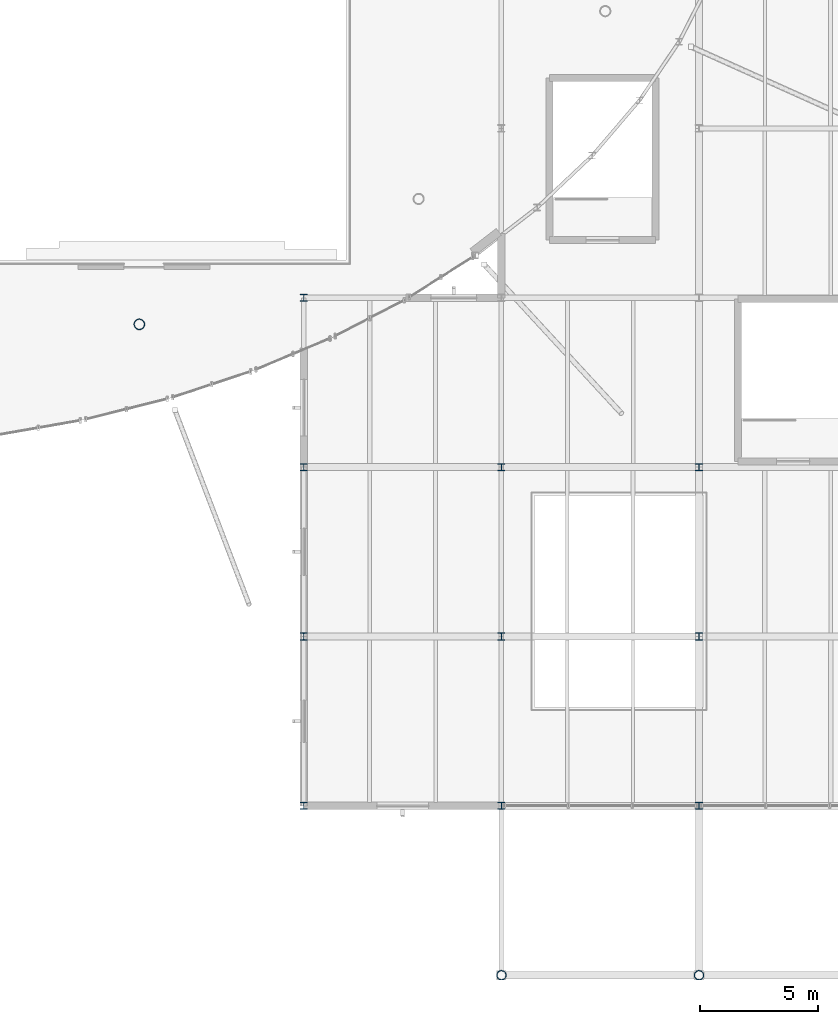
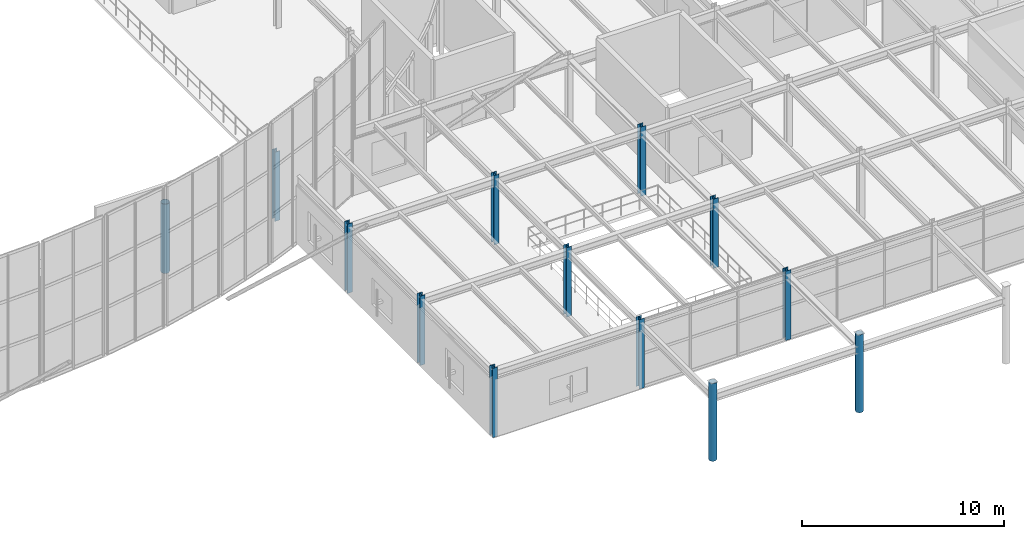
# One storey, part 3 of 109: 13 columns.
"""IFC4 building model written with IfcOpenShell, lengths in metres."""

import ifcopenshell
import ifcopenshell.guid

model = None  # the IFC model being written
_history = None  # IfcOwnerHistory: only IFC2X3 demands one
_inside = {}  # id of a spatial element -> (the spatial element, [elements in it])
_under = {}  # id of a project, library or spatial element -> (it, [spatial elements below it])
_declared = {}  # id of a project -> (the project, [libraries it declares])
_typed = {}  # id of a type object -> (the type object, [elements of that type])
_made_of = {}  # id of a material, layer set ... -> (it, [elements and type objects made of it])


def new_model(schema):
    """Start an empty IFC model of exactly this schema.

    Asked for "IFC4X3", IfcOpenShell would pick the latest addendum, in which some entities
    have other attributes; the version numbers below select the first issue.
    IFC2X3 requires an IfcOwnerHistory on every rooted entity: one is made here for all.
    """
    global model, _history
    if schema == "IFC4X3":
        model = ifcopenshell.file(schema_version=(4, 3, 0, 0))
    else:
        model = ifcopenshell.file(schema=schema)
    _inside.clear()
    _under.clear()
    _declared.clear()
    _typed.clear()
    _made_of.clear()
    _history = None
    if model.schema == "IFC2X3":
        org = make("IfcOrganization", Name="unknown")
        user = make(
            "IfcPersonAndOrganization",
            ThePerson=make("IfcPerson", FamilyName="unknown"),
            TheOrganization=org,
        )
        app = make(
            "IfcApplication",
            ApplicationDeveloper=org,
            Version="unknown",
            ApplicationFullName="unknown",
            ApplicationIdentifier="unknown",
        )
        _history = make(
            "IfcOwnerHistory",
            OwningUser=user,
            OwningApplication=app,
            ChangeAction="ADDED",
            CreationDate=0,
        )
    return model


def make(cls, **values):
    """One entity of the class cls with the attributes given. An attribute that is None is left unset."""
    return model.create_entity(
        cls, **{name: value for name, value in values.items() if value is not None}
    )


def rooted(cls, **values):
    """An entity with a GlobalId (a new one), such as an element, a storey or a relation."""
    return make(cls, GlobalId=ifcopenshell.guid.new(), OwnerHistory=_history, **values)


def si_unit(unit_type, name, prefix=None):
    """IfcSIUnit, for example si_unit("LENGTHUNIT", "METRE", prefix="MILLI")."""
    return make("IfcSIUnit", UnitType=unit_type, Prefix=prefix, Name=name)


def derived_unit(unit_type, elements):
    """IfcDerivedUnit: a product of units, each with its exponent."""
    return make(
        "IfcDerivedUnit",
        Elements=[
            make("IfcDerivedUnitElement", Unit=unit, Exponent=power)
            for unit, power in elements
        ],
        UnitType=unit_type,
    )


def assignment(units):
    """IfcUnitAssignment: the units of a project."""
    return None if units is None else make("IfcUnitAssignment", Units=units)


def point(xyz):
    """IfcCartesianPoint."""
    return None if xyz is None else make("IfcCartesianPoint", Coordinates=xyz)


def direction(xyz):
    """IfcDirection."""
    return None if xyz is None else make("IfcDirection", DirectionRatios=xyz)


def frame(location, z_axis=None, x_axis=None):
    """IfcAxis2Placement3D, a coordinate frame: its origin and axes. An axis left out is left unset."""
    return make(
        "IfcAxis2Placement3D",
        Location=point(location),
        Axis=direction(z_axis),
        RefDirection=direction(x_axis),
    )


def frame_2d(location, x_axis=None):
    """IfcAxis2Placement2D, a coordinate frame in the plane: its origin and x axis."""
    return make(
        "IfcAxis2Placement2D", Location=point(location), RefDirection=direction(x_axis)
    )


def origin():
    """The frame at (0, 0, 0) with its axes left unset."""
    return frame((0.0, 0.0, 0.0))


def origin_2d():
    """The frame at (0, 0) in the plane with its x axis left unset."""
    return frame_2d((0.0, 0.0))


def place(relative_to, where):
    """IfcLocalPlacement: puts the frame where relative to a parent placement (None: the world)."""
    return make(
        "IfcLocalPlacement", PlacementRelTo=relative_to, RelativePlacement=where
    )


def context(
    kind, dimensions, precision=None, world=None, true_north=None, identifier=None
):
    """IfcGeometricRepresentationContext, for example the 3D "Model" context."""
    return make(
        "IfcGeometricRepresentationContext",
        ContextIdentifier=identifier,
        ContextType=kind,
        CoordinateSpaceDimension=dimensions,
        Precision=precision,
        WorldCoordinateSystem=world,
        TrueNorth=true_north,
    )


def subcontext(parent, identifier, kind, view, scale=None):
    """IfcGeometricRepresentationSubContext, for example "Body" below "Model"."""
    return make(
        "IfcGeometricRepresentationSubContext",
        ContextIdentifier=identifier,
        ContextType=kind,
        ParentContext=parent,
        TargetScale=scale,
        TargetView=view,
    )


def project(units=None, contexts=None):
    """IfcProject with its units and contexts."""
    return rooted(
        "IfcProject",
        Name="project",
        RepresentationContexts=contexts,
        UnitsInContext=assignment(units),
    )


def spatial(cls, under=None, at=None, **own):
    """A site, building, storey or space (cls), placed at a placement, below another one or the project."""
    s = rooted(cls, ObjectPlacement=at, **own)
    if under is not None:
        _under.setdefault(under.id(), (under, []))[1].append(s)
    return s


def profile(cls, at=None, kind="AREA", **sizes):
    """A parametric profile (cls). Its sizes go by their IFC names, for example OverallWidth=200.0."""
    return make(cls, ProfileType=kind, Position=at, **sizes)


def hollow_circle(**sizes):
    """IfcCircleHollowProfileDef."""
    return profile("IfcCircleHollowProfileDef", **sizes)


def i_section(**sizes):
    """IfcIShapeProfileDef."""
    return profile("IfcIShapeProfileDef", **sizes)


def extrude(swept, where, along, depth):
    """IfcExtrudedAreaSolid: the profile swept, set in the frame where, extruded along a direction by depth."""
    return make(
        "IfcExtrudedAreaSolid",
        SweptArea=swept,
        Position=where,
        ExtrudedDirection=direction(along),
        Depth=depth,
    )


def shape(context_of_items, identifier, shape_type, items):
    """IfcShapeRepresentation: the items that make up one representation, for example the "Body"."""
    return make(
        "IfcShapeRepresentation",
        ContextOfItems=context_of_items,
        RepresentationIdentifier=identifier,
        RepresentationType=shape_type,
        Items=items,
    )


def material(Name=None, Category=None):
    """IfcMaterial."""
    return make("IfcMaterial", Name=Name, Category=Category)


def material_profile(
    of_material, cross_section, Name=None, Category=None, Priority=None
):
    """IfcMaterialProfile: a cross section and its material."""
    return make(
        "IfcMaterialProfile",
        Name=Name,
        Material=of_material,
        Profile=cross_section,
        Priority=Priority,
        Category=Category,
    )


def profile_set(profiles, Name=None, composite=None):
    """IfcMaterialProfileSet."""
    return make(
        "IfcMaterialProfileSet",
        Name=Name,
        MaterialProfiles=profiles,
        CompositeProfile=composite,
    )


def made_of(thing, what):
    """Note that an element or type object is made of a material, layer set ...; save() writes the relation."""
    if what is not None:
        _made_of.setdefault(what.id(), (what, []))[1].append(thing)
    return thing


def type_object(cls, material=None, **own):
    """A type object (cls), such as IfcWallType, which elements share."""
    return made_of(rooted(cls, **own), material)


def element(
    cls,
    number,
    at=None,
    inside=None,
    cuts=None,
    type_object=None,
    material=None,
    context=None,
    identifier="Body",
    shape_type=None,
    held_by="IfcProductDefinitionShape",
    body=None,
    shapes=None,
    **own,
):
    """One element of the class cls, such as IfcWall. Its Tag is "e" and its number.

    at: its placement. inside: the storey or other place that contains it. cuts: it is an
    opening in that element (IfcRelVoidsElement). A single representation is given by context,
    identifier, shape_type and body (its items); several are given by shapes. held_by: the class
    of the entity that holds the representations. save() writes the other relations.
    """
    e = rooted(cls, Tag="e%d" % number, ObjectPlacement=at, **own)
    if body is not None:
        shapes = [shape(context, identifier, shape_type, body)]
    if shapes is not None:
        e.Representation = make(held_by, Representations=shapes)
    if inside is not None:
        _inside.setdefault(inside.id(), (inside, []))[1].append(e)
    if cuts is not None:
        rooted(
            "IfcRelVoidsElement", RelatingBuildingElement=cuts, RelatedOpeningElement=e
        )
    if type_object is not None:
        _typed.setdefault(type_object.id(), (type_object, []))[1].append(e)
    return made_of(e, material)


def aggregate(whole, parts):
    """IfcRelAggregates: a whole, such as a stair, and the parts it consists of."""
    return rooted("IfcRelAggregates", RelatingObject=whole, RelatedObjects=parts)


def save(model, path):
    """Write the relations noted so far, then the file.

    IfcRelAggregates (storeys below a building ...), IfcRelContainedInSpatialStructure (elements
    in a storey), IfcRelDefinesByType, IfcRelAssociatesMaterial and IfcRelDeclares: one each for
    every whole, place, type object, material and project.
    """
    for whole, parts in _under.values():
        aggregate(whole, parts)
    for where, things in _inside.values():
        rooted(
            "IfcRelContainedInSpatialStructure",
            RelatedElements=things,
            RelatingStructure=where,
        )
    for kind, things in _typed.values():
        rooted("IfcRelDefinesByType", RelatedObjects=things, RelatingType=kind)
    for what, things in _made_of.values():
        rooted("IfcRelAssociatesMaterial", RelatedObjects=things, RelatingMaterial=what)
    for by, libraries in _declared.values():
        rooted("IfcRelDeclares", RelatingContext=by, RelatedDefinitions=libraries)
    model.write(path)


model = new_model("IFC4")

# Units and contexts
model_context = context("Model", 3, precision=1e-05, world=origin(), true_north=direction((0.0, 1.0)))
body_context = subcontext(model_context, "Body", "Model", "MODEL_VIEW")
ifc_project = project(units=[si_unit("LENGTHUNIT", "METRE"), si_unit("AREAUNIT", "SQUARE_METRE"), si_unit("VOLUMEUNIT", "CUBIC_METRE"), si_unit("PLANEANGLEUNIT", "RADIAN"), si_unit("MASSUNIT", "GRAM", prefix="KILO"), derived_unit("THERMALTRANSMITTANCEUNIT", [(si_unit("MASSUNIT", "GRAM", prefix="KILO"), 1), (si_unit("TIMEUNIT", "SECOND"), -3), (si_unit("THERMODYNAMICTEMPERATUREUNIT", "KELVIN"), -1)])], contexts=[model_context])

# Site, building, storey
site_placement = place(None, origin())
site = spatial("IfcSite", under=ifc_project, at=site_placement, CompositionType="ELEMENT")
building_placement = place(site_placement, origin())
building = spatial("IfcBuilding", under=site, at=building_placement, Name="Kharveza Railside Sports Centre", CompositionType="ELEMENT")
storey_placement = place(building_placement, frame((0.0, 0.0, 4.5)))
storey = spatial("IfcBuildingStorey", under=building, at=storey_placement, Name="L01", CompositionType="ELEMENT", Elevation=4.5)

# Columns
ifc_material = material(Name="Steel S355J2", Category="steel")
ifc_material_profile_1 = material_profile(ifc_material, i_section(OverallWidth=0.300048828125, OverallDepth=0.300048828125, WebThickness=0.010986328125, FlangeThickness=0.01904296875, FilletRadius=0.027099609375, at=origin_2d()), Name="HEB 300")
ifc_profile_set_1 = profile_set([ifc_material_profile_1], Name="Steel S355J2")
column_type_1 = type_object("IfcColumnType", Name="COL-S07", PredefinedType="COLUMN", material=ifc_profile_set_1)
for number, where, z_axis, x_axis, name in (
    (1, (75.60009765625, 7.199951171875, 0.0), (0.0, 0.0, 1.0), (1.0, 0.0, 0.0), "COL-G-C07-X756-Y72-L01"),
    (2, (75.60009765625, 14.39990234375, 0.0), (0.0, 0.0, 1.0), (1.0, 0.0, 0.0), "COL-G-C07-X756-Y144-L01"),
    (3, (75.60009765625, 21.60009765625, 0.0), (0.0, 0.0, 1.0), (1.0, 0.0, 0.0), "COL-G-C07-X756-Y216-L01"),
    (4, (75.60009765625, 28.800048828125, 0.0), (0.0, 0.0, 1.0), (1.0, 0.0, 0.0), "COL-G-C07-X756-Y288-L01"),
    (5, (84.0, 7.199951171875, 0.0), (0.0, 0.0, 1.0), (1.0, 0.0, 0.0), "COL-G-C07-X840-Y72-L01"),
    (6, (84.0, 14.39990234375, 0.0), (0.0, 0.0, 1.0), (1.0, 0.0, 0.0), "COL-G-C07-X840-Y144-L01"),
    (7, (84.0, 21.60009765625, 0.0), (0.0, 0.0, 1.0), (1.0, 0.0, 0.0), "COL-G-C07-X840-Y216-L01"),
    (8, (92.39990234375, 7.199951171875, 0.0), (0.0, 0.0, 1.0), (1.0, 0.0, 0.0), "COL-G-C07-X924-Y72-L01"),
    (9, (92.39990234375, 14.39990234375, 0.0), (0.0, 0.0, 1.0), (1.0, 0.0, 0.0), "COL-G-C07-X924-Y144-L01"),
    (10, (92.39990234375, 21.60009765625, 0.0), (0.0, 0.0, 1.0), (1.0, 0.0, 0.0), "COL-G-C07-X924-Y216-L01"),
):
    element("IfcColumn", number, at=place(storey_placement, frame(where, z_axis=z_axis, x_axis=x_axis)), inside=storey, type_object=column_type_1, Name=name, PredefinedType="COLUMN", context=body_context, shape_type="SweptSolid", body=[
        extrude(i_section(OverallWidth=0.300048828125, OverallDepth=0.300048828125, WebThickness=0.010986328125, FlangeThickness=0.01904296875, FilletRadius=0.027099609375, at=origin_2d()), origin(), (0.0, 0.0, 1.0), 4.199951171875),
    ])
ifc_material_profile_2 = material_profile(ifc_material, hollow_circle(Radius=0.228515625, WallThickness=0.02001953125, at=origin_2d()), Name="CHS 457.0x20.0")
ifc_profile_set_2 = profile_set([ifc_material_profile_2], Name="Steel S355J2")
column_type_2 = type_object("IfcColumnType", Name="COL-T01", PredefinedType="COLUMN", material=ifc_profile_set_2)
column_placement = place(storey_placement, frame((68.606201171875, 27.672607421875, 0.0), z_axis=(0.0, 0.0, 1.0), x_axis=(1.0, 0.0, 0.0)))
element("IfcColumn", 11, at=column_placement, inside=storey, type_object=column_type_2, Name="COL-DRUM-14-L01", PredefinedType="COLUMN", context=body_context, shape_type="SweptSolid", body=[
    extrude(hollow_circle(Radius=0.228515625, WallThickness=0.02001953125, at=origin_2d()), origin(), (0.0, 0.0, 1.0), 4.199951171875),
])
ifc_material_profile_3 = material_profile(ifc_material, hollow_circle(Radius=0.203125, WallThickness=0.02001953125, at=origin_2d()), Name="CHS 406.4x20.0")
ifc_profile_set_3 = profile_set([ifc_material_profile_3], Name="Steel S355J2")
column_type_3 = type_object("IfcColumnType", Name="COL-T02", PredefinedType="COLUMN", material=ifc_profile_set_3)
for number, where, z_axis, x_axis, name in (
    (12, (84.0, 0.0, 0.0), (0.0, 0.0, 1.0), (1.0, 0.0, 0.0), "COL-G-C16-X840-Y0-L01"),
    (13, (92.39990234375, 0.0, 0.0), (0.0, 0.0, 1.0), (1.0, 0.0, 0.0), "COL-G-C16-X924-Y0-L01"),
):
    element("IfcColumn", number, at=place(storey_placement, frame(where, z_axis=z_axis, x_axis=x_axis)), inside=storey, type_object=column_type_3, Name=name, PredefinedType="COLUMN", context=body_context, shape_type="SweptSolid", body=[
        extrude(hollow_circle(Radius=0.203125, WallThickness=0.02001953125, at=origin_2d()), origin(), (0.0, 0.0, 1.0), 4.715087890625),
    ])

save(model, "model.ifc")
